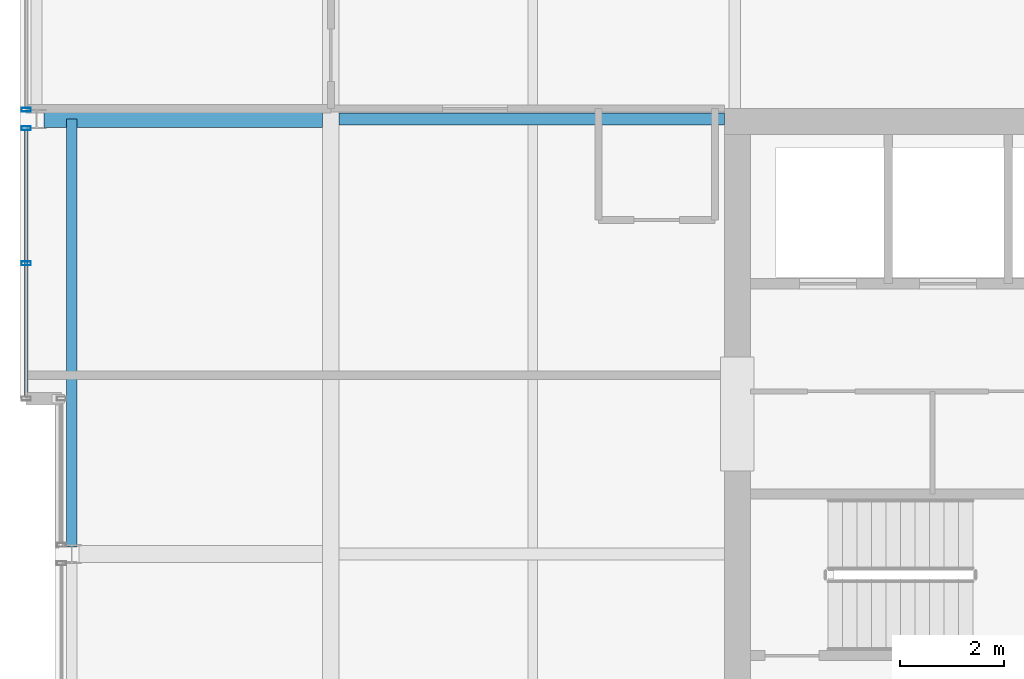
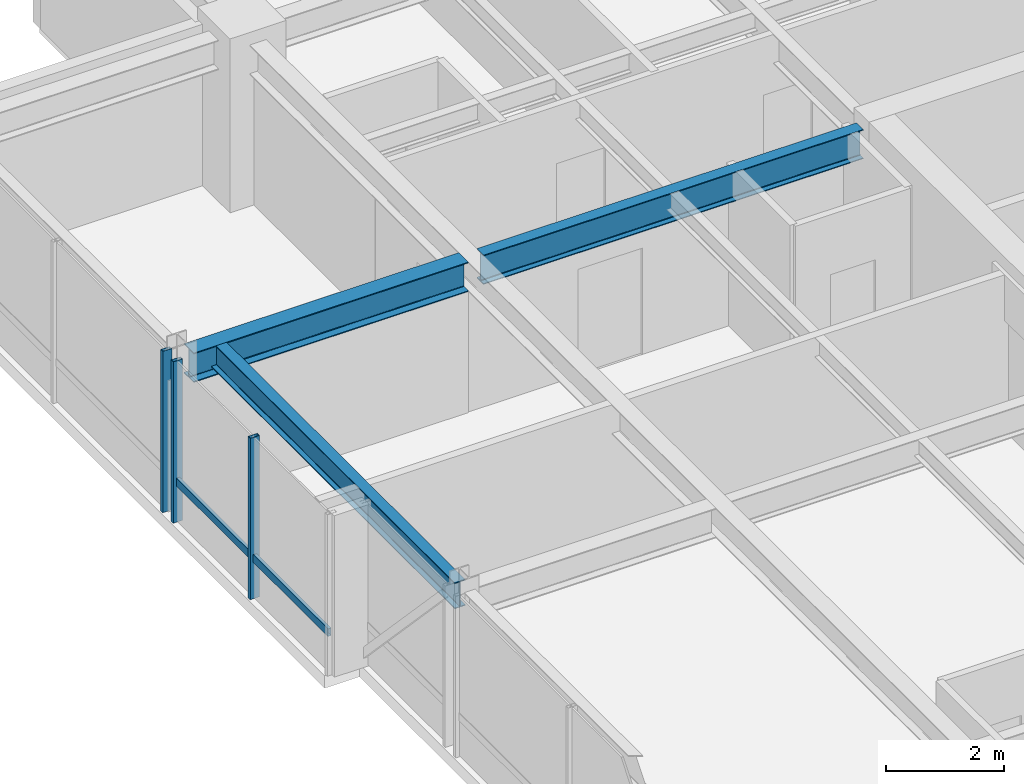
# One storey, part 17 of 32: 4 members, 3 beams, 2 elements without a shape of their own.
"""IFC4 building model written with IfcOpenShell, lengths in metres."""

import ifcopenshell
import ifcopenshell.guid

model = None  # the IFC model being written
_history = None  # IfcOwnerHistory: only IFC2X3 demands one
_inside = {}  # id of a spatial element -> (the spatial element, [elements in it])
_under = {}  # id of a project, library or spatial element -> (it, [spatial elements below it])
_declared = {}  # id of a project -> (the project, [libraries it declares])
_typed = {}  # id of a type object -> (the type object, [elements of that type])
_made_of = {}  # id of a material, layer set ... -> (it, [elements and type objects made of it])


def new_model(schema):
    """Start an empty IFC model of exactly this schema.

    Asked for "IFC4X3", IfcOpenShell would pick the latest addendum, in which some entities
    have other attributes; the version numbers below select the first issue.
    IFC2X3 requires an IfcOwnerHistory on every rooted entity: one is made here for all.
    """
    global model, _history
    if schema == "IFC4X3":
        model = ifcopenshell.file(schema_version=(4, 3, 0, 0))
    else:
        model = ifcopenshell.file(schema=schema)
    _inside.clear()
    _under.clear()
    _declared.clear()
    _typed.clear()
    _made_of.clear()
    _history = None
    if model.schema == "IFC2X3":
        org = make("IfcOrganization", Name="unknown")
        user = make(
            "IfcPersonAndOrganization",
            ThePerson=make("IfcPerson", FamilyName="unknown"),
            TheOrganization=org,
        )
        app = make(
            "IfcApplication",
            ApplicationDeveloper=org,
            Version="unknown",
            ApplicationFullName="unknown",
            ApplicationIdentifier="unknown",
        )
        _history = make(
            "IfcOwnerHistory",
            OwningUser=user,
            OwningApplication=app,
            ChangeAction="ADDED",
            CreationDate=0,
        )
    return model


def make(cls, **values):
    """One entity of the class cls with the attributes given. An attribute that is None is left unset."""
    return model.create_entity(
        cls, **{name: value for name, value in values.items() if value is not None}
    )


def rooted(cls, **values):
    """An entity with a GlobalId (a new one), such as an element, a storey or a relation."""
    return make(cls, GlobalId=ifcopenshell.guid.new(), OwnerHistory=_history, **values)


def si_unit(unit_type, name, prefix=None):
    """IfcSIUnit, for example si_unit("LENGTHUNIT", "METRE", prefix="MILLI")."""
    return make("IfcSIUnit", UnitType=unit_type, Prefix=prefix, Name=name)


def assignment(units):
    """IfcUnitAssignment: the units of a project."""
    return None if units is None else make("IfcUnitAssignment", Units=units)


def point(xyz):
    """IfcCartesianPoint."""
    return None if xyz is None else make("IfcCartesianPoint", Coordinates=xyz)


def direction(xyz):
    """IfcDirection."""
    return None if xyz is None else make("IfcDirection", DirectionRatios=xyz)


def frame(location, z_axis=None, x_axis=None):
    """IfcAxis2Placement3D, a coordinate frame: its origin and axes. An axis left out is left unset."""
    return make(
        "IfcAxis2Placement3D",
        Location=point(location),
        Axis=direction(z_axis),
        RefDirection=direction(x_axis),
    )


def frame_2d(location, x_axis=None):
    """IfcAxis2Placement2D, a coordinate frame in the plane: its origin and x axis."""
    return make(
        "IfcAxis2Placement2D", Location=point(location), RefDirection=direction(x_axis)
    )


def origin():
    """The frame at (0, 0, 0) with its axes left unset."""
    return frame((0.0, 0.0, 0.0))


def origin_2d():
    """The frame at (0, 0) in the plane with its x axis left unset."""
    return frame_2d((0.0, 0.0))


def place(relative_to, where):
    """IfcLocalPlacement: puts the frame where relative to a parent placement (None: the world)."""
    return make(
        "IfcLocalPlacement", PlacementRelTo=relative_to, RelativePlacement=where
    )


def context(
    kind, dimensions, precision=None, world=None, true_north=None, identifier=None
):
    """IfcGeometricRepresentationContext, for example the 3D "Model" context."""
    return make(
        "IfcGeometricRepresentationContext",
        ContextIdentifier=identifier,
        ContextType=kind,
        CoordinateSpaceDimension=dimensions,
        Precision=precision,
        WorldCoordinateSystem=world,
        TrueNorth=true_north,
    )


def subcontext(parent, identifier, kind, view, scale=None):
    """IfcGeometricRepresentationSubContext, for example "Body" below "Model"."""
    return make(
        "IfcGeometricRepresentationSubContext",
        ContextIdentifier=identifier,
        ContextType=kind,
        ParentContext=parent,
        TargetScale=scale,
        TargetView=view,
    )


def project(units=None, contexts=None):
    """IfcProject with its units and contexts."""
    return rooted(
        "IfcProject",
        Name="project",
        RepresentationContexts=contexts,
        UnitsInContext=assignment(units),
    )


def spatial(cls, under=None, at=None, **own):
    """A site, building, storey or space (cls), placed at a placement, below another one or the project."""
    s = rooted(cls, ObjectPlacement=at, **own)
    if under is not None:
        _under.setdefault(under.id(), (under, []))[1].append(s)
    return s


def profile(cls, at=None, kind="AREA", **sizes):
    """A parametric profile (cls). Its sizes go by their IFC names, for example OverallWidth=200.0."""
    return make(cls, ProfileType=kind, Position=at, **sizes)


def hollow_rectangle(**sizes):
    """IfcRectangleHollowProfileDef."""
    return profile("IfcRectangleHollowProfileDef", **sizes)


def i_section(**sizes):
    """IfcIShapeProfileDef."""
    return profile("IfcIShapeProfileDef", **sizes)


def extrude(swept, where, along, depth):
    """IfcExtrudedAreaSolid: the profile swept, set in the frame where, extruded along a direction by depth."""
    return make(
        "IfcExtrudedAreaSolid",
        SweptArea=swept,
        Position=where,
        ExtrudedDirection=direction(along),
        Depth=depth,
    )


def shape(context_of_items, identifier, shape_type, items):
    """IfcShapeRepresentation: the items that make up one representation, for example the "Body"."""
    return make(
        "IfcShapeRepresentation",
        ContextOfItems=context_of_items,
        RepresentationIdentifier=identifier,
        RepresentationType=shape_type,
        Items=items,
    )


def material(Name=None, Category=None):
    """IfcMaterial."""
    return make("IfcMaterial", Name=Name, Category=Category)


def layer(
    of_material, thickness, ventilated=None, Name=None, Category=None, Priority=None
):
    """IfcMaterialLayer: one layer of a wall or slab, of a material (None: an air gap)."""
    return make(
        "IfcMaterialLayer",
        Material=of_material,
        LayerThickness=thickness,
        IsVentilated=ventilated,
        Name=Name,
        Category=Category,
        Priority=Priority,
    )


def layer_set(layers, Name=None):
    """IfcMaterialLayerSet."""
    return make("IfcMaterialLayerSet", MaterialLayers=layers, LayerSetName=Name)


def material_profile(
    of_material, cross_section, Name=None, Category=None, Priority=None
):
    """IfcMaterialProfile: a cross section and its material."""
    return make(
        "IfcMaterialProfile",
        Name=Name,
        Material=of_material,
        Profile=cross_section,
        Priority=Priority,
        Category=Category,
    )


def profile_set(profiles, Name=None, composite=None):
    """IfcMaterialProfileSet."""
    return make(
        "IfcMaterialProfileSet",
        Name=Name,
        MaterialProfiles=profiles,
        CompositeProfile=composite,
    )


def made_of(thing, what):
    """Note that an element or type object is made of a material, layer set ...; save() writes the relation."""
    if what is not None:
        _made_of.setdefault(what.id(), (what, []))[1].append(thing)
    return thing


def type_object(cls, material=None, **own):
    """A type object (cls), such as IfcWallType, which elements share."""
    return made_of(rooted(cls, **own), material)


def element(
    cls,
    number,
    at=None,
    inside=None,
    cuts=None,
    type_object=None,
    material=None,
    context=None,
    identifier="Body",
    shape_type=None,
    held_by="IfcProductDefinitionShape",
    body=None,
    shapes=None,
    **own,
):
    """One element of the class cls, such as IfcWall. Its Tag is "e" and its number.

    at: its placement. inside: the storey or other place that contains it. cuts: it is an
    opening in that element (IfcRelVoidsElement). A single representation is given by context,
    identifier, shape_type and body (its items); several are given by shapes. held_by: the class
    of the entity that holds the representations. save() writes the other relations.
    """
    e = rooted(cls, Tag="e%d" % number, ObjectPlacement=at, **own)
    if body is not None:
        shapes = [shape(context, identifier, shape_type, body)]
    if shapes is not None:
        e.Representation = make(held_by, Representations=shapes)
    if inside is not None:
        _inside.setdefault(inside.id(), (inside, []))[1].append(e)
    if cuts is not None:
        rooted(
            "IfcRelVoidsElement", RelatingBuildingElement=cuts, RelatedOpeningElement=e
        )
    if type_object is not None:
        _typed.setdefault(type_object.id(), (type_object, []))[1].append(e)
    return made_of(e, material)


def aggregate(whole, parts):
    """IfcRelAggregates: a whole, such as a stair, and the parts it consists of."""
    return rooted("IfcRelAggregates", RelatingObject=whole, RelatedObjects=parts)


def save(model, path):
    """Write the relations noted so far, then the file.

    IfcRelAggregates (storeys below a building ...), IfcRelContainedInSpatialStructure (elements
    in a storey), IfcRelDefinesByType, IfcRelAssociatesMaterial and IfcRelDeclares: one each for
    every whole, place, type object, material and project.
    """
    for whole, parts in _under.values():
        aggregate(whole, parts)
    for where, things in _inside.values():
        rooted(
            "IfcRelContainedInSpatialStructure",
            RelatedElements=things,
            RelatingStructure=where,
        )
    for kind, things in _typed.values():
        rooted("IfcRelDefinesByType", RelatedObjects=things, RelatingType=kind)
    for what, things in _made_of.values():
        rooted("IfcRelAssociatesMaterial", RelatedObjects=things, RelatingMaterial=what)
    for by, libraries in _declared.values():
        rooted("IfcRelDeclares", RelatingContext=by, RelatedDefinitions=libraries)
    model.write(path)


model = new_model("IFC4")

# Units and contexts
model_context = context("Model", 3, precision=1e-05, world=origin(), true_north=direction((0.0, 1.0)))
body_context = subcontext(model_context, "Body", "Model", "MODEL_VIEW")
ifc_project = project(units=[si_unit("LENGTHUNIT", "METRE"), si_unit("AREAUNIT", "SQUARE_METRE"), si_unit("VOLUMEUNIT", "CUBIC_METRE"), si_unit("PLANEANGLEUNIT", "RADIAN"), si_unit("MASSUNIT", "GRAM", prefix="KILO")], contexts=[model_context])

# Site, building, storey
site_placement = place(None, origin())
site = spatial("IfcSite", under=ifc_project, at=site_placement, CompositionType="ELEMENT")
building_placement = place(site_placement, origin())
building = spatial("IfcBuilding", under=site, at=building_placement, Name="Drelvath Grand Hotel", CompositionType="ELEMENT")
storey_placement = place(building_placement, frame((0.0, 0.0, 241.10009765625)))
storey = spatial("IfcBuildingStorey", under=building, at=storey_placement, Name="L63", CompositionType="ELEMENT", Elevation=241.10009765625)

# Curtain wall, members
ifc_material_1 = material(Name="Platinum-Mist Anodised Aluminium Frame", Category="aluminium")
ifc_layer = layer(ifc_material_1, 0.199951171875)
ifc_layer_set = layer_set([ifc_layer], Name="Platinum-Mist Anodised Aluminium Frame")
curtain_wall_type = type_object("IfcCurtainWallType", Name="Stick Curtain Wall CW-05 Platinum Mist High-Rise", PredefinedType="NOTDEFINED", material=ifc_layer_set)
curtain_wall_1_placement = place(storey_placement, origin())
curtain_wall_1 = element("IfcCurtainWall", 1, at=curtain_wall_1_placement, inside=storey, type_object=curtain_wall_type, Name="L63 CW-05 Curtain Wall CW05-L63-WN1", PredefinedType="NOTDEFINED")
ifc_material_profile_1 = material_profile(ifc_material_1, hollow_rectangle(XDim=0.06494140625, YDim=0.159912109375, WallThickness=0.00390625, at=origin_2d()), Name="HSS160X65X4")
ifc_profile_set_1 = profile_set([ifc_material_profile_1], Name="Platinum-Mist Anodised Aluminium Frame")
member_type_1 = type_object("IfcMemberType", Name="Curtain Wall Horizontal Transom CW-05 HSS160X65X4", PredefinedType="USERDEFINED", material=ifc_profile_set_1)
member_1_placement = place(storey_placement, frame((-22.080078125, 30.0400390625, 0.8349609375), z_axis=(0.0, 1.0, 0.0), x_axis=(-1.0, 0.0, 0.0)))
member_1 = element("IfcMember", 2, at=member_1_placement, type_object=member_type_1, Name="CW05-L63-WN1 Sill Transom", ObjectType="TRANSOM", PredefinedType="USERDEFINED", context=body_context, shape_type="SweptSolid", body=[
    extrude(hollow_rectangle(XDim=0.06494140625, YDim=0.159912109375, WallThickness=0.00390625, at=origin_2d()), origin(), (0.0, 0.0, 1.0), 5.141845703125),
])
ifc_material_profile_2 = material_profile(ifc_material_1, hollow_rectangle(XDim=0.074951171875, YDim=0.179931640625, WallThickness=0.0048828125, at=origin_2d()), Name="HSS180X75X5")
ifc_profile_set_2 = profile_set([ifc_material_profile_2], Name="Platinum-Mist Anodised Aluminium Frame")
member_type_2 = type_object("IfcMemberType", Name="Curtain Wall Vertical Mullion CW-05 HSS180X75X5", PredefinedType="MULLION", material=ifc_profile_set_2)
member_2_placement = place(storey_placement, frame((-22.080078125, 32.61083984375, 0.0), z_axis=(0.0, 0.0, 1.0), x_axis=(0.0, 1.0, 0.0)))
member_2 = element("IfcMember", 3, at=member_2_placement, type_object=member_type_2, Name="CW05-L63-WN1 Mullion 2", PredefinedType="MULLION", context=body_context, shape_type="SweptSolid", body=[
    extrude(hollow_rectangle(XDim=0.074951171875, YDim=0.179931640625, WallThickness=0.0048828125, at=origin_2d()), origin(), (0.0, 0.0, 1.0), 3.33984375),
])
member_3_placement = place(storey_placement, frame((-22.080078125, 35.2216796875, 0.0), z_axis=(0.0, 0.0, 1.0), x_axis=(0.0, 1.0, 0.0)))
member_3 = element("IfcMember", 4, at=member_3_placement, type_object=member_type_2, Name="CW05-L63-WN1 Mullion 3", PredefinedType="MULLION", context=body_context, shape_type="SweptSolid", body=[
    extrude(hollow_rectangle(XDim=0.074951171875, YDim=0.179931640625, WallThickness=0.0048828125, at=origin_2d()), origin(), (0.0, 0.0, 1.0), 3.33984375),
])
aggregate(curtain_wall_1, [member_2, member_3, member_1])

# Curtain wall, member
curtain_wall_2_placement = place(storey_placement, origin())
curtain_wall_2 = element("IfcCurtainWall", 5, at=curtain_wall_2_placement, inside=storey, type_object=curtain_wall_type, Name="L63 CW-05 Curtain Wall CW05-L63-WN2", PredefinedType="NOTDEFINED")
member_4_placement = place(storey_placement, frame((-22.080078125, 35.578125, 0.0), z_axis=(0.0, 0.0, 1.0), x_axis=(0.0, 1.0, 0.0)))
member_4 = element("IfcMember", 6, at=member_4_placement, type_object=member_type_2, Name="CW05-L63-WN2 Mullion 1", PredefinedType="MULLION", context=body_context, shape_type="SweptSolid", body=[
    extrude(hollow_rectangle(XDim=0.074951171875, YDim=0.179931640625, WallThickness=0.0048828125, at=origin_2d()), origin(), (0.0, 0.0, 1.0), 3.33984375),
])
aggregate(curtain_wall_2, [member_4])

# Beams
ifc_material_2 = material(Name="Steel ASTM A992 Gr 50", Category="steel")
ifc_material_profile_3 = material_profile(ifc_material_2, i_section(OverallWidth=0.210205078125, OverallDepth=0.53662109375, WebThickness=0.010986328125, FlangeThickness=0.017333984375, FilletRadius=0.01806640625, at=origin_2d()), Name="W21X68")
ifc_profile_set_3 = profile_set([ifc_material_profile_3], Name="Steel ASTM A992 Gr 50")
beam_type_1 = type_object("IfcBeamType", Name="Perimeter Spandrel Beam W21X68", PredefinedType="SPANDREL", material=ifc_profile_set_3)
beam_1_placement = place(storey_placement, frame((-21.199951171875, 27.139892578125, 3.071533203125), z_axis=(0.0, 1.0, 0.0), x_axis=(-1.0, 0.0, 0.0)))
element("IfcBeam", 7, at=beam_1_placement, inside=storey, type_object=beam_type_1, Name="L63 Spandrel West Mid N", PredefinedType="SPANDREL", context=body_context, shape_type="SweptSolid", body=[
    extrude(i_section(OverallWidth=0.210205078125, OverallDepth=0.53662109375, WebThickness=0.010986328125, FlangeThickness=0.017333984375, FilletRadius=0.01806640625, at=origin_2d()), origin(), (0.0, 0.0, 1.0), 8.260009765625),
])
ifc_material_profile_4 = material_profile(ifc_material_2, i_section(OverallWidth=0.323974609375, OverallDepth=0.611083984375, WebThickness=0.0126953125, FlangeThickness=0.01904296875, FilletRadius=0.02197265625, at=origin_2d()), Name="W24X104")
ifc_profile_set_4 = profile_set([ifc_material_profile_4], Name="Steel ASTM A992 Gr 50")
beam_type_2 = type_object("IfcBeamType", Name="Primary Floor Girder W24X104", PredefinedType="BEAM", material=ifc_profile_set_4)
beam_2_placement = place(storey_placement, frame((-21.739990234375, 35.39990234375, 3.034423828125), z_axis=(1.0, 0.0, 0.0), x_axis=(0.0, 1.0, 0.0)))
element("IfcBeam", 8, at=beam_2_placement, inside=storey, type_object=beam_type_2, Name="L63 West Wing Girder F", PredefinedType="BEAM", context=body_context, shape_type="SweptSolid", body=[
    extrude(i_section(OverallWidth=0.323974609375, OverallDepth=0.611083984375, WebThickness=0.0126953125, FlangeThickness=0.01904296875, FilletRadius=0.02197265625, at=origin_2d()), origin(), (0.0, 0.0, 1.0), 5.3779296875),
])
ifc_material_profile_5 = material_profile(ifc_material_2, i_section(OverallWidth=0.228271484375, OverallDepth=0.607666015625, WebThickness=0.01123046875, FlangeThickness=0.017333984375, FilletRadius=0.02001953125, at=origin_2d()), Name="W24X76")
ifc_profile_set_5 = profile_set([ifc_material_profile_5], Name="Steel ASTM A992 Gr 50")
beam_type_3 = type_object("IfcBeamType", Name="Primary Floor Girder W24X76", PredefinedType="BEAM", material=ifc_profile_set_5)
beam_3_placement = place(storey_placement, frame((-16.0380859375, 35.39990234375, 3.0361328125), z_axis=(1.0, 0.0, 0.0), x_axis=(0.0, 1.0, 0.0)))
element("IfcBeam", 9, at=beam_3_placement, inside=storey, type_object=beam_type_3, Name="L63 West Core Tie F", PredefinedType="BEAM", context=body_context, shape_type="SweptSolid", body=[
    extrude(i_section(OverallWidth=0.228271484375, OverallDepth=0.607666015625, WebThickness=0.01123046875, FlangeThickness=0.017333984375, FilletRadius=0.02001953125, at=origin_2d()), origin(), (0.0, 0.0, 1.0), 7.43798828125),
])

save(model, "model.ifc")
